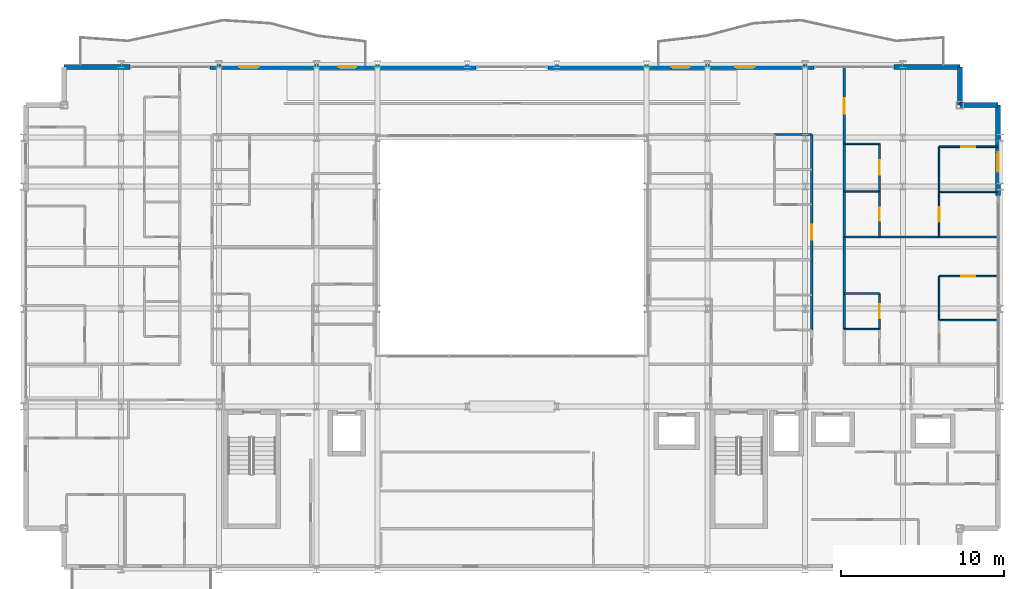
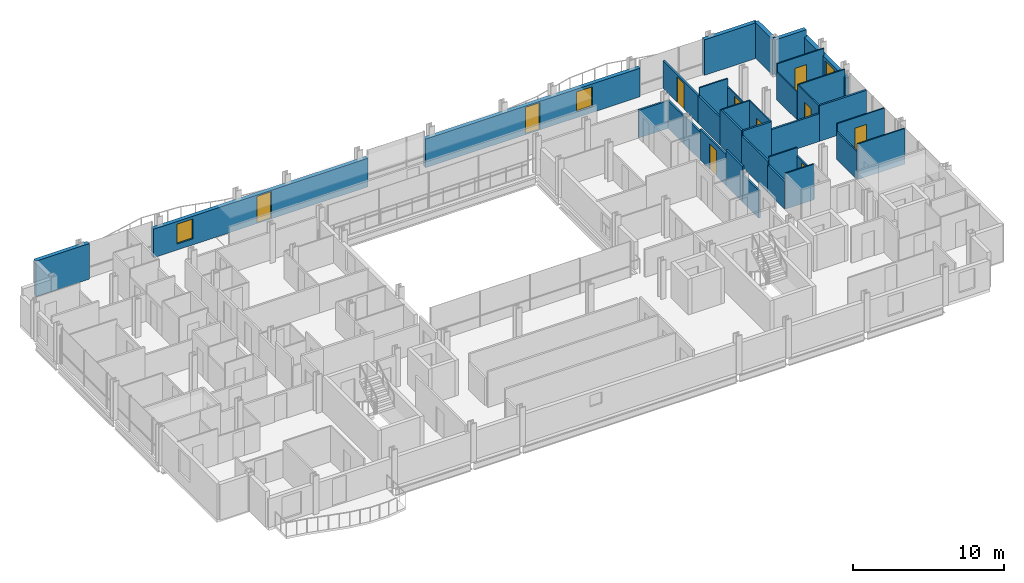
# One storey, part 36 of 41: 35 walls, 10 doors, 3 windows, 13 openings.
"""IFC4 building model written with IfcOpenShell, lengths in metres."""

from ifc_helpers import new_model, si_unit, direction, frame, frame_2d, origin, place, context, subcontext, project, spatial, rectangle, extrude, material, layer, layer_set, type_object, element, fill, save


model = new_model("IFC4")

# Units and contexts
model_context = context("Model", 3, precision=1e-05, world=origin(), true_north=direction((0.0, 1.0)))
body_context = subcontext(model_context, "Body", "Model", "MODEL_VIEW")
ifc_project = project(units=[si_unit("LENGTHUNIT", "METRE"), si_unit("AREAUNIT", "SQUARE_METRE"), si_unit("VOLUMEUNIT", "CUBIC_METRE"), si_unit("PLANEANGLEUNIT", "RADIAN"), si_unit("MASSUNIT", "GRAM", prefix="KILO")], contexts=[model_context])

# Site, building, storey
site_placement = place(None, origin())
site = spatial("IfcSite", under=ifc_project, at=site_placement, CompositionType="ELEMENT")
building_placement = place(site_placement, origin())
building = spatial("IfcBuilding", under=site, at=building_placement, Name="Brevholm Reach", CompositionType="ELEMENT")
storey_placement = place(building_placement, frame((0.0, 0.0, 86.89990234375)))
storey = spatial("IfcBuildingStorey", under=building, at=storey_placement, Name="L25", CompositionType="ELEMENT", Elevation=86.89990234375)

# Walls
ifc_material_1 = material(Name="Concrete C40/50", Category="concrete")
ifc_layer_1 = layer(ifc_material_1, 0.300048828125)
ifc_layer_set_1 = layer_set([ifc_layer_1], Name="Concrete C40/50")
wall_type_1 = type_object("IfcWallType", Name="WAL-EXT-300", PredefinedType="STANDARD", material=ifc_layer_set_1)
for number, where, z_axis, x_axis, name in (
    (1, (59.85009765625, 28.5, 0.0), (0.0, 0.0, 1.0), (-1.0, 0.0, 0.0), "L25 Facade Wall WAL-L25-CNE1"),
    (2, (57.5, 28.5, 0.0), (0.0, 0.0, 1.0), (0.0, 1.0, 0.0), "L25 Facade Wall WAL-L25-CNE2"),
):
    element("IfcWall", number, at=place(storey_placement, frame(where, z_axis=z_axis, x_axis=x_axis)), inside=storey, type_object=wall_type_1, Name=name, PredefinedType="STANDARD", context=body_context, shape_type="SweptSolid", body=[
        extrude(rectangle(XDim=2.35009765625, YDim=0.300048828125, at=frame_2d((1.175048828125, 0.0))), origin(), (0.0, 0.0, 1.0), 2.8701171875),
    ])

# Wall, opening, window
wall_1_placement = place(storey_placement, frame((59.85009765625, 22.949951171875, 0.0), z_axis=(0.0, 0.0, 1.0), x_axis=(0.0, 1.0, 0.0)))
wall_1 = element("IfcWall", 3, at=wall_1_placement, inside=storey, type_object=wall_type_1, Name="L25 Facade Wall WAL-L25-E-N", PredefinedType="STANDARD", context=body_context, shape_type="SweptSolid", body=[
    extrude(rectangle(XDim=5.550048828125, YDim=0.300048828125, at=frame_2d((2.77490234375, 0.0))), origin(), (0.0, 0.0, 1.0), 2.3056640625),
])
opening_1_placement = place(wall_1_placement, frame((1.449951171875, 0.0, 0.485107421875)))
opening_1 = element("IfcOpeningElement", 4, at=opening_1_placement, cuts=wall_1, Name="Opening WN-08", PredefinedType="OPENING", context=body_context, shape_type="SweptSolid", body=[
    extrude(rectangle(XDim=1.199951171875, YDim=1.60009765625, at=frame_2d((0.60009765625, 0.800048828125))), frame((0.0, 0.159912109375, 0.0), z_axis=(0.0, -1.0, 0.0), x_axis=(1.0, 0.0, 0.0)), (0.0, 0.0, 1.0), 0.320068359375),
])
ifc_material_2 = material(Name="Dark Anodised Aluminium and Solar-Control IGU Glass", Category="aluminium")
window_type = type_object("IfcWindowType", Name="WIN-RES-1200", PartitioningType="SINGLE_PANEL", PredefinedType="WINDOW", material=ifc_material_2)
window_1_placement = place(opening_1_placement, origin())
window_1 = element("IfcWindow", 5, at=window_1_placement, inside=storey, type_object=window_type, Name="L25 Window WIN-L25-EN-1", OverallHeight=1.60009765625, OverallWidth=1.199951171875, PartitioningType="SINGLE_PANEL", PredefinedType="WINDOW", context=body_context, shape_type="SweptSolid", body=[
    extrude(rectangle(XDim=1.199951171875, YDim=1.60009765625, at=frame_2d((0.60009765625, 0.800048828125))), frame((0.0, 0.030029296875, 0.0), z_axis=(0.0, -1.0, 0.0), x_axis=(1.0, 0.0, 0.0)), (0.0, 0.0, 1.0), 0.06005859375),
])
fill(opening_1, window_1)

# Walls
for number, where, z_axis, x_axis, name in (
    (6, (2.5, 30.85009765625, 0.0), (0.0, 0.0, 1.0), (1.0, 0.0, 0.0), "L25 Facade Wall WAL-L25-NP-W0"),
    (7, (53.449951171875, 30.85009765625, 0.0), (0.0, 0.0, 1.0), (1.0, 0.0, 0.0), "L25 Facade Wall WAL-L25-NP-E0"),
):
    element("IfcWall", number, at=place(storey_placement, frame(where, z_axis=z_axis, x_axis=x_axis)), inside=storey, type_object=wall_type_1, Name=name, PredefinedType="STANDARD", context=body_context, shape_type="SweptSolid", body=[
        extrude(rectangle(XDim=4.050048828125, YDim=0.300048828125, at=frame_2d((2.02490234375, 0.0))), origin(), (0.0, 0.0, 1.0), 2.8701171875),
    ])

# Wall, openings, door, window
wall_2_placement = place(storey_placement, frame((11.449951171875, 30.85009765625, 0.0), z_axis=(0.0, 0.0, 1.0), x_axis=(1.0, 0.0, 0.0)))
wall_2 = element("IfcWall", 8, at=wall_2_placement, inside=storey, type_object=wall_type_1, Name="L25 Facade Wall WAL-L25-NP-WL", PredefinedType="STANDARD", context=body_context, shape_type="SweptSolid", body=[
    extrude(rectangle(XDim=16.35009765625, YDim=0.300048828125, at=frame_2d((8.175048828125, 0.0))), origin(), (0.0, 0.0, 1.0), 2.3056640625),
])
opening_2_placement = place(wall_2_placement, frame((7.89794921875, 0.0, 0.0)))
opening_2 = element("IfcOpeningElement", 9, at=opening_2_placement, cuts=wall_2, Name="Opening BD-01", PredefinedType="OPENING", context=body_context, shape_type="SweptSolid", body=[
    extrude(rectangle(XDim=1.10009765625, YDim=2.199951171875, at=frame_2d((0.550048828125, 1.10009765625))), frame((0.0, 0.159912109375, 0.0), z_axis=(0.0, -1.0, 0.0), x_axis=(1.0, 0.0, 0.0)), (0.0, 0.0, 1.0), 0.320068359375),
])
opening_3_placement = place(wall_2_placement, frame((1.800048828125, 0.0, 0.485107421875)))
opening_3 = element("IfcOpeningElement", 10, at=opening_3_placement, cuts=wall_2, Name="Opening WN-08", PredefinedType="OPENING", context=body_context, shape_type="SweptSolid", body=[
    extrude(rectangle(XDim=1.199951171875, YDim=1.60009765625, at=frame_2d((0.60009765625, 0.800048828125))), frame((0.0, 0.159912109375, 0.0), z_axis=(0.0, -1.0, 0.0), x_axis=(1.0, 0.0, 0.0)), (0.0, 0.0, 1.0), 0.320068359375),
])
ifc_material_3 = material(Name="Dark Anodised Aluminium and Triple-Glazed Glass", Category="aluminium")
door_type_1 = type_object("IfcDoorType", Name="DOR-BALC-1100", OperationType="NOTDEFINED", PredefinedType="DOOR", material=ifc_material_3)
door_1_placement = place(opening_2_placement, origin())
door_1 = element("IfcDoor", 11, at=door_1_placement, inside=storey, type_object=door_type_1, Name="L25 Exterior Door DOR-L25-BL-NW", OperationType="SINGLE_SWING_RIGHT", OverallHeight=2.199951171875, OverallWidth=1.10009765625, PredefinedType="DOOR", context=body_context, shape_type="SweptSolid", body=[
    extrude(rectangle(XDim=1.10009765625, YDim=2.199951171875, at=frame_2d((0.550048828125, 1.10009765625))), frame((0.0, 0.02490234375, 0.0), z_axis=(0.0, -1.0, 0.0), x_axis=(1.0, 0.0, 0.0)), (0.0, 0.0, 1.0), 0.050048828125),
])
fill(opening_2, door_1)
window_2_placement = place(opening_3_placement, origin())
window_2 = element("IfcWindow", 12, at=window_2_placement, inside=storey, type_object=window_type, Name="L25 Window WIN-L25-NP-WL1", OverallHeight=1.60009765625, OverallWidth=1.199951171875, PartitioningType="SINGLE_PANEL", PredefinedType="WINDOW", context=body_context, shape_type="SweptSolid", body=[
    extrude(rectangle(XDim=1.199951171875, YDim=1.60009765625, at=frame_2d((0.60009765625, 0.800048828125))), frame((0.0, 0.030029296875, 0.0), z_axis=(0.0, -1.0, 0.0), x_axis=(1.0, 0.0, 0.0)), (0.0, 0.0, 1.0), 0.06005859375),
])
fill(opening_3, window_2)

wall_3_placement = place(storey_placement, frame((32.199951171875, 30.85009765625, 0.0), z_axis=(0.0, 0.0, 1.0), x_axis=(1.0, 0.0, 0.0)))
wall_3 = element("IfcWall", 13, at=wall_3_placement, inside=storey, type_object=wall_type_1, Name="L25 Facade Wall WAL-L25-NP-ER", PredefinedType="STANDARD", context=body_context, shape_type="SweptSolid", body=[
    extrude(rectangle(XDim=16.35009765625, YDim=0.300048828125, at=frame_2d((8.175048828125, 0.0))), origin(), (0.0, 0.0, 1.0), 2.3056640625),
])
opening_4_placement = place(wall_3_placement, frame((7.60009765625, 0.0, 0.0)))
opening_4 = element("IfcOpeningElement", 14, at=opening_4_placement, cuts=wall_3, Name="Opening BD-01", PredefinedType="OPENING", context=body_context, shape_type="SweptSolid", body=[
    extrude(rectangle(XDim=1.10009765625, YDim=2.199951171875, at=frame_2d((0.550048828125, 1.10009765625))), frame((0.0, 0.159912109375, 0.0), z_axis=(0.0, -1.0, 0.0), x_axis=(1.0, 0.0, 0.0)), (0.0, 0.0, 1.0), 0.320068359375),
])
opening_5_placement = place(wall_3_placement, frame((11.5, 0.0, 0.485107421875)))
opening_5 = element("IfcOpeningElement", 15, at=opening_5_placement, cuts=wall_3, Name="Opening WN-08", PredefinedType="OPENING", context=body_context, shape_type="SweptSolid", body=[
    extrude(rectangle(XDim=1.199951171875, YDim=1.60009765625, at=frame_2d((0.60009765625, 0.800048828125))), frame((0.0, 0.159912109375, 0.0), z_axis=(0.0, -1.0, 0.0), x_axis=(1.0, 0.0, 0.0)), (0.0, 0.0, 1.0), 0.320068359375),
])
door_2_placement = place(opening_4_placement, origin())
door_2 = element("IfcDoor", 16, at=door_2_placement, inside=storey, type_object=door_type_1, Name="L25 Exterior Door DOR-L25-BL-NE", OperationType="SINGLE_SWING_LEFT", OverallHeight=2.199951171875, OverallWidth=1.10009765625, PredefinedType="DOOR", context=body_context, shape_type="SweptSolid", body=[
    extrude(rectangle(XDim=1.10009765625, YDim=2.199951171875, at=frame_2d((0.550048828125, 1.10009765625))), frame((0.0, 0.02490234375, 0.0), z_axis=(0.0, -1.0, 0.0), x_axis=(1.0, 0.0, 0.0)), (0.0, 0.0, 1.0), 0.050048828125),
])
fill(opening_4, door_2)
window_3_placement = place(opening_5_placement, origin())
window_3 = element("IfcWindow", 17, at=window_3_placement, inside=storey, type_object=window_type, Name="L25 Window WIN-L25-NP-ER1", OverallHeight=1.60009765625, OverallWidth=1.199951171875, PartitioningType="SINGLE_PANEL", PredefinedType="WINDOW", context=body_context, shape_type="SweptSolid", body=[
    extrude(rectangle(XDim=1.199951171875, YDim=1.60009765625, at=frame_2d((0.60009765625, 0.800048828125))), frame((0.0, 0.030029296875, 0.0), z_axis=(0.0, -1.0, 0.0), x_axis=(1.0, 0.0, 0.0)), (0.0, 0.0, 1.0), 0.06005859375),
])
fill(opening_5, window_3)

# Wall
ifc_material_4 = material(Name="Moisture-Resistant Acoustic Gypsum Stud Partition 100 mm", Category="gypsum")
ifc_layer_2 = layer(ifc_material_4, 0.10009765625)
ifc_layer_set_2 = layer_set([ifc_layer_2], Name="Moisture-Resistant Acoustic Gypsum Stud Partition 100 mm")
wall_type_2 = type_object("IfcWallType", Name="WAL-PRT-100", PredefinedType="PARTITIONING", material=ifc_layer_set_2)
wall_4_placement = place(storey_placement, frame((50.404052734375, 14.75, 0.0), z_axis=(0.0, 0.0, 1.0), x_axis=(1.0, 0.0, 0.0)))
element("IfcWall", 18, at=wall_4_placement, inside=storey, type_object=wall_type_2, Name="L25 Internal Partition 140", PredefinedType="PARTITIONING", context=body_context, shape_type="SweptSolid", body=[
    extrude(rectangle(XDim=2.157958984375, YDim=0.10009765625, at=frame_2d((1.0791015625, 0.0))), origin(), (0.0, 0.0, 1.0), 2.8701171875),
])

# Wall, opening, door
wall_5_placement = place(storey_placement, frame((52.56201171875, 14.75390625, 0.0), z_axis=(0.0, 0.0, 1.0), x_axis=(0.0, 1.0, 0.0)))
wall_5 = element("IfcWall", 19, at=wall_5_placement, inside=storey, type_object=wall_type_2, Name="L25 Internal Partition 142", PredefinedType="PARTITIONING", context=body_context, shape_type="SweptSolid", body=[
    extrude(rectangle(XDim=2.18017578125, YDim=0.10009765625, at=frame_2d((1.090087890625, 0.0))), origin(), (0.0, 0.0, 1.0), 2.224853515625),
])
opening_6_placement = place(wall_5_placement, frame((0.64990234375, 0.0, 0.0)))
opening_6 = element("IfcOpeningElement", 20, at=opening_6_placement, cuts=wall_5, Name="Opening ID-01", PredefinedType="OPENING", context=body_context, shape_type="SweptSolid", body=[
    extrude(rectangle(XDim=0.8798828125, YDim=2.0400390625, at=frame_2d((0.43994140625, 1.02001953125))), frame((0.0, 0.06005859375, 0.0), z_axis=(0.0, -1.0, 0.0), x_axis=(1.0, 0.0, 0.0)), (0.0, 0.0, 1.0), 0.1201171875),
])
ifc_material_5 = material(Name="Lacquered Ash Solid-Core Acoustic Internal Door", Category="timber")
door_type_2 = type_object("IfcDoorType", Name="DOR-INT-880", OperationType="NOTDEFINED", PredefinedType="DOOR", material=ifc_material_5)
door_3_placement = place(opening_6_placement, origin())
door_3 = element("IfcDoor", 21, at=door_3_placement, inside=storey, type_object=door_type_2, Name="L25 Internal Door 054", OperationType="SINGLE_SWING_LEFT", OverallHeight=2.0400390625, OverallWidth=0.8798828125, PredefinedType="DOOR", context=body_context, shape_type="SweptSolid", body=[
    extrude(rectangle(XDim=0.8798828125, YDim=2.0400390625, at=frame_2d((0.43994140625, 1.02001953125))), frame((0.0, 0.02490234375, 0.0), z_axis=(0.0, -1.0, 0.0), x_axis=(1.0, 0.0, 0.0)), (0.0, 0.0, 1.0), 0.050048828125),
])
fill(opening_6, door_3)

# Walls
wall_6_placement = place(storey_placement, frame((50.404052734375, 16.93408203125, 0.0), z_axis=(0.0, 0.0, 1.0), x_axis=(1.0, 0.0, 0.0)))
element("IfcWall", 22, at=wall_6_placement, inside=storey, type_object=wall_type_2, Name="L25 Internal Partition 143", PredefinedType="PARTITIONING", context=body_context, shape_type="SweptSolid", body=[
    extrude(rectangle(XDim=2.157958984375, YDim=0.10009765625, at=frame_2d((1.0791015625, 0.0))), origin(), (0.0, 0.0, 1.0), 2.8701171875),
])
wall_7_placement = place(storey_placement, frame((56.22802734375, 15.300048828125, 0.0), z_axis=(0.0, 0.0, 1.0), x_axis=(1.0, 0.0, 0.0)))
element("IfcWall", 23, at=wall_7_placement, inside=storey, type_object=wall_type_2, Name="L25 Internal Partition 144", PredefinedType="PARTITIONING", context=body_context, shape_type="SweptSolid", body=[
    extrude(rectangle(XDim=3.572021484375, YDim=0.10009765625, at=frame_2d((1.7861328125, 0.0))), origin(), (0.0, 0.0, 1.0), 2.8701171875),
])

# Wall, opening, door
wall_8_placement = place(storey_placement, frame((56.22802734375, 18.0, 0.0), z_axis=(0.0, 0.0, 1.0), x_axis=(1.0, 0.0, 0.0)))
wall_8 = element("IfcWall", 24, at=wall_8_placement, inside=storey, type_object=wall_type_2, Name="L25 Internal Partition 146", PredefinedType="PARTITIONING", context=body_context, shape_type="SweptSolid", body=[
    extrude(rectangle(XDim=3.572021484375, YDim=0.10009765625, at=frame_2d((1.7861328125, 0.0))), origin(), (0.0, 0.0, 1.0), 2.8701171875),
])
opening_7_placement = place(wall_8_placement, frame((1.345947265625, 0.0, 0.0)))
opening_7 = element("IfcOpeningElement", 25, at=opening_7_placement, cuts=wall_8, Name="Opening ID-01", PredefinedType="OPENING", context=body_context, shape_type="SweptSolid", body=[
    extrude(rectangle(XDim=0.8798828125, YDim=2.0400390625, at=frame_2d((0.43994140625, 1.02001953125))), frame((0.0, 0.06005859375, 0.0), z_axis=(0.0, -1.0, 0.0), x_axis=(1.0, 0.0, 0.0)), (0.0, 0.0, 1.0), 0.1201171875),
])
door_4_placement = place(opening_7_placement, origin())
door_4 = element("IfcDoor", 26, at=door_4_placement, inside=storey, type_object=door_type_2, Name="L25 Internal Door 056", OperationType="SINGLE_SWING_LEFT", OverallHeight=2.0400390625, OverallWidth=0.8798828125, PredefinedType="DOOR", context=body_context, shape_type="SweptSolid", body=[
    extrude(rectangle(XDim=0.8798828125, YDim=2.0400390625, at=frame_2d((0.43994140625, 1.02001953125))), frame((0.0, 0.02490234375, 0.0), z_axis=(0.0, -1.0, 0.0), x_axis=(1.0, 0.0, 0.0)), (0.0, 0.0, 1.0), 0.050048828125),
])
fill(opening_7, door_4)

# Walls
wall_9_placement = place(storey_placement, frame((56.22802734375, 15.303955078125, 0.0), z_axis=(0.0, 0.0, 1.0), x_axis=(0.0, 1.0, 0.0)))
element("IfcWall", 27, at=wall_9_placement, inside=storey, type_object=wall_type_2, Name="L25 Internal Partition 147", PredefinedType="PARTITIONING", context=body_context, shape_type="SweptSolid", body=[
    extrude(rectangle(XDim=2.696044921875, YDim=0.10009765625, at=frame_2d((1.34814453125, 0.0))), origin(), (0.0, 0.0, 1.0), 2.224853515625),
])
wall_10_placement = place(storey_placement, frame((50.404052734375, 23.2080078125, 0.0), z_axis=(0.0, 0.0, 1.0), x_axis=(1.0, 0.0, 0.0)))
element("IfcWall", 28, at=wall_10_placement, inside=storey, type_object=wall_type_2, Name="L25 Internal Partition 151", PredefinedType="PARTITIONING", context=body_context, shape_type="SweptSolid", body=[
    extrude(rectangle(XDim=2.157958984375, YDim=0.10009765625, at=frame_2d((1.0791015625, 0.0))), origin(), (0.0, 0.0, 1.0), 2.8701171875),
])

# Wall, opening, door
wall_11_placement = place(storey_placement, frame((52.56201171875, 20.404052734375, 0.0), z_axis=(0.0, 0.0, 1.0), x_axis=(0.0, 1.0, 0.0)))
wall_11 = element("IfcWall", 29, at=wall_11_placement, inside=storey, type_object=wall_type_2, Name="L25 Internal Partition 152", PredefinedType="PARTITIONING", context=body_context, shape_type="SweptSolid", body=[
    extrude(rectangle(XDim=2.803955078125, YDim=0.10009765625, at=frame_2d((1.40185546875, 0.0))), origin(), (0.0, 0.0, 1.0), 2.8701171875),
])
opening_8_placement = place(wall_11_placement, frame((0.991943359375, 0.0, 0.0)))
opening_8 = element("IfcOpeningElement", 30, at=opening_8_placement, cuts=wall_11, Name="Opening ID-03", PredefinedType="OPENING", context=body_context, shape_type="SweptSolid", body=[
    extrude(rectangle(XDim=0.820068359375, YDim=2.02001953125, at=frame_2d((0.41015625, 1.010009765625))), frame((0.0, 0.06005859375, 0.0), z_axis=(0.0, -1.0, 0.0), x_axis=(1.0, 0.0, 0.0)), (0.0, 0.0, 1.0), 0.1201171875),
])
ifc_material_6 = material(Name="Moisture-Resistant Painted Timber Internal Bathroom Door", Category="wood")
door_type_3 = type_object("IfcDoorType", Name="DOR-BATH-820", OperationType="NOTDEFINED", PredefinedType="DOOR", material=ifc_material_6)
door_5_placement = place(opening_8_placement, origin())
door_5 = element("IfcDoor", 31, at=door_5_placement, inside=storey, type_object=door_type_3, Name="L25 Internal Door 057", OperationType="SINGLE_SWING_RIGHT", OverallHeight=2.02001953125, OverallWidth=0.820068359375, PredefinedType="DOOR", context=body_context, shape_type="SweptSolid", body=[
    extrude(rectangle(XDim=0.820068359375, YDim=2.02001953125, at=frame_2d((0.41015625, 1.010009765625))), frame((0.0, 0.02490234375, 0.0), z_axis=(0.0, -1.0, 0.0), x_axis=(1.0, 0.0, 0.0)), (0.0, 0.0, 1.0), 0.050048828125),
])
fill(opening_8, door_5)

wall_12_placement = place(storey_placement, frame((52.56201171875, 23.2119140625, 0.0), z_axis=(0.0, 0.0, 1.0), x_axis=(0.0, 1.0, 0.0)))
wall_12 = element("IfcWall", 32, at=wall_12_placement, inside=storey, type_object=wall_type_2, Name="L25 Internal Partition 153", PredefinedType="PARTITIONING", context=body_context, shape_type="SweptSolid", body=[
    extrude(rectangle(XDim=2.908203125, YDim=0.10009765625, at=frame_2d((1.4541015625, 0.0))), origin(), (0.0, 0.0, 1.0), 2.224853515625),
])
opening_9_placement = place(wall_12_placement, frame((1.013916015625, 0.0, 0.0)))
opening_9 = element("IfcOpeningElement", 33, at=opening_9_placement, cuts=wall_12, Name="Opening ID-01", PredefinedType="OPENING", context=body_context, shape_type="SweptSolid", body=[
    extrude(rectangle(XDim=0.8798828125, YDim=2.0400390625, at=frame_2d((0.43994140625, 1.02001953125))), frame((0.0, 0.06005859375, 0.0), z_axis=(0.0, -1.0, 0.0), x_axis=(1.0, 0.0, 0.0)), (0.0, 0.0, 1.0), 0.1201171875),
])
door_6_placement = place(opening_9_placement, origin())
door_6 = element("IfcDoor", 34, at=door_6_placement, inside=storey, type_object=door_type_2, Name="L25 Internal Door 058", OperationType="SINGLE_SWING_LEFT", OverallHeight=2.0400390625, OverallWidth=0.8798828125, PredefinedType="DOOR", context=body_context, shape_type="SweptSolid", body=[
    extrude(rectangle(XDim=0.8798828125, YDim=2.0400390625, at=frame_2d((0.43994140625, 1.02001953125))), frame((0.0, 0.02490234375, 0.0), z_axis=(0.0, -1.0, 0.0), x_axis=(1.0, 0.0, 0.0)), (0.0, 0.0, 1.0), 0.050048828125),
])
fill(opening_9, door_6)

# Walls
wall_13_placement = place(storey_placement, frame((50.404052734375, 26.1201171875, 0.0), z_axis=(0.0, 0.0, 1.0), x_axis=(1.0, 0.0, 0.0)))
element("IfcWall", 35, at=wall_13_placement, inside=storey, type_object=wall_type_2, Name="L25 Internal Partition 154", PredefinedType="PARTITIONING", context=body_context, shape_type="SweptSolid", body=[
    extrude(rectangle(XDim=2.157958984375, YDim=0.10009765625, at=frame_2d((1.0791015625, 0.0))), origin(), (0.0, 0.0, 1.0), 2.8701171875),
])
wall_14_placement = place(storey_placement, frame((56.22802734375, 23.175048828125, 0.0), z_axis=(0.0, 0.0, 1.0), x_axis=(1.0, 0.0, 0.0)))
element("IfcWall", 36, at=wall_14_placement, inside=storey, type_object=wall_type_2, Name="L25 Internal Partition 155", PredefinedType="PARTITIONING", context=body_context, shape_type="SweptSolid", body=[
    extrude(rectangle(XDim=3.572021484375, YDim=0.10009765625, at=frame_2d((1.7861328125, 0.0))), origin(), (0.0, 0.0, 1.0), 2.8701171875),
])

# Wall, opening, door
wall_15_placement = place(storey_placement, frame((56.22802734375, 20.404052734375, 0.0), z_axis=(0.0, 0.0, 1.0), x_axis=(0.0, 1.0, 0.0)))
wall_15 = element("IfcWall", 37, at=wall_15_placement, inside=storey, type_object=wall_type_2, Name="L25 Internal Partition 156", PredefinedType="PARTITIONING", context=body_context, shape_type="SweptSolid", body=[
    extrude(rectangle(XDim=2.77099609375, YDim=0.10009765625, at=frame_2d((1.385498046875, 0.0))), origin(), (0.0, 0.0, 1.0), 2.8701171875),
])
opening_10_placement = place(wall_15_placement, frame((0.945556640625, 0.0, 0.0)))
opening_10 = element("IfcOpeningElement", 38, at=opening_10_placement, cuts=wall_15, Name="Opening ID-01", PredefinedType="OPENING", context=body_context, shape_type="SweptSolid", body=[
    extrude(rectangle(XDim=0.8798828125, YDim=2.0400390625, at=frame_2d((0.43994140625, 1.02001953125))), frame((0.0, 0.06005859375, 0.0), z_axis=(0.0, -1.0, 0.0), x_axis=(1.0, 0.0, 0.0)), (0.0, 0.0, 1.0), 0.1201171875),
])
door_7_placement = place(opening_10_placement, origin())
door_7 = element("IfcDoor", 39, at=door_7_placement, inside=storey, type_object=door_type_2, Name="L25 Internal Door 059", OperationType="SINGLE_SWING_RIGHT", OverallHeight=2.0400390625, OverallWidth=0.8798828125, PredefinedType="DOOR", context=body_context, shape_type="SweptSolid", body=[
    extrude(rectangle(XDim=0.8798828125, YDim=2.0400390625, at=frame_2d((0.43994140625, 1.02001953125))), frame((0.0, 0.02490234375, 0.0), z_axis=(0.0, -1.0, 0.0), x_axis=(1.0, 0.0, 0.0)), (0.0, 0.0, 1.0), 0.050048828125),
])
fill(opening_10, door_7)

wall_16_placement = place(storey_placement, frame((56.22802734375, 25.949951171875, 0.0), z_axis=(0.0, 0.0, 1.0), x_axis=(1.0, 0.0, 0.0)))
wall_16 = element("IfcWall", 40, at=wall_16_placement, inside=storey, type_object=wall_type_2, Name="L25 Internal Partition 157", PredefinedType="PARTITIONING", context=body_context, shape_type="SweptSolid", body=[
    extrude(rectangle(XDim=3.572021484375, YDim=0.10009765625, at=frame_2d((1.7861328125, 0.0))), origin(), (0.0, 0.0, 1.0), 2.8701171875),
])
opening_11_placement = place(wall_16_placement, frame((1.345947265625, 0.0, 0.0)))
opening_11 = element("IfcOpeningElement", 41, at=opening_11_placement, cuts=wall_16, Name="Opening ID-01", PredefinedType="OPENING", context=body_context, shape_type="SweptSolid", body=[
    extrude(rectangle(XDim=0.8798828125, YDim=2.0400390625, at=frame_2d((0.43994140625, 1.02001953125))), frame((0.0, 0.06005859375, 0.0), z_axis=(0.0, -1.0, 0.0), x_axis=(1.0, 0.0, 0.0)), (0.0, 0.0, 1.0), 0.1201171875),
])
door_8_placement = place(opening_11_placement, origin())
door_8 = element("IfcDoor", 42, at=door_8_placement, inside=storey, type_object=door_type_2, Name="L25 Internal Door 060", OperationType="SINGLE_SWING_LEFT", OverallHeight=2.0400390625, OverallWidth=0.8798828125, PredefinedType="DOOR", context=body_context, shape_type="SweptSolid", body=[
    extrude(rectangle(XDim=0.8798828125, YDim=2.0400390625, at=frame_2d((0.43994140625, 1.02001953125))), frame((0.0, 0.02490234375, 0.0), z_axis=(0.0, -1.0, 0.0), x_axis=(1.0, 0.0, 0.0)), (0.0, 0.0, 1.0), 0.050048828125),
])
fill(opening_11, door_8)

# Walls
wall_17_placement = place(storey_placement, frame((56.22802734375, 23.178955078125, 0.0), z_axis=(0.0, 0.0, 1.0), x_axis=(0.0, 1.0, 0.0)))
element("IfcWall", 43, at=wall_17_placement, inside=storey, type_object=wall_type_2, Name="L25 Internal Partition 158", PredefinedType="PARTITIONING", context=body_context, shape_type="SweptSolid", body=[
    extrude(rectangle(XDim=2.77099609375, YDim=0.10009765625, at=frame_2d((1.385498046875, 0.0))), origin(), (0.0, 0.0, 1.0), 2.224853515625),
])
ifc_material_7 = material(Name="Twin-Stud Acoustic Fire-Rated Gypsum Partition 140 mm", Category="gypsum")
ifc_layer_3 = layer(ifc_material_7, 0.139892578125)
ifc_layer_set_3 = layer_set([ifc_layer_3], Name="Twin-Stud Acoustic Fire-Rated Gypsum Partition 140 mm")
wall_type_3 = type_object("IfcWallType", Name="WAL-PRT-140", PredefinedType="PARTITIONING", material=ifc_layer_set_3)
wall_18_placement = place(storey_placement, frame((48.39990234375, 16.838623046875, 0.0), z_axis=(0.0, 0.0, 1.0), x_axis=(0.0, 1.0, 0.0)))
element("IfcWall", 44, at=wall_18_placement, inside=storey, type_object=wall_type_3, Name="L25 Internal Partition 045", PredefinedType="PARTITIONING", context=body_context, shape_type="SweptSolid", body=[
    extrude(rectangle(XDim=2.172607421875, YDim=0.139892578125, at=frame_2d((1.08642578125, 0.0))), origin(), (0.0, 0.0, 1.0), 2.8701171875),
])
wall_19_placement = place(storey_placement, frame((48.39990234375, 14.688720703125, 0.0), z_axis=(0.0, 0.0, 1.0), x_axis=(0.0, 1.0, 0.0)))
element("IfcWall", 45, at=wall_19_placement, inside=storey, type_object=wall_type_3, Name="L25 Internal Partition 046", PredefinedType="PARTITIONING", context=body_context, shape_type="SweptSolid", body=[
    extrude(rectangle(XDim=2.168701171875, YDim=0.139892578125, at=frame_2d((1.08447265625, 0.0))), origin(), (0.0, 0.0, 1.0), 2.224853515625),
])
wall_20_placement = place(storey_placement, frame((48.39990234375, 24.538818359375, 0.0), z_axis=(0.0, 0.0, 1.0), x_axis=(0.0, 1.0, 0.0)))
element("IfcWall", 46, at=wall_20_placement, inside=storey, type_object=wall_type_3, Name="L25 Internal Partition 048", PredefinedType="PARTITIONING", context=body_context, shape_type="SweptSolid", body=[
    extrude(rectangle(XDim=2.16845703125, YDim=0.139892578125, at=frame_2d((1.084228515625, 0.0))), origin(), (0.0, 0.0, 1.0), 2.224853515625),
])
wall_21_placement = place(storey_placement, frame((48.39990234375, 22.3828125, 0.0), z_axis=(0.0, 0.0, 1.0), x_axis=(0.0, 1.0, 0.0)))
element("IfcWall", 47, at=wall_21_placement, inside=storey, type_object=wall_type_3, Name="L25 Internal Partition 049", PredefinedType="PARTITIONING", context=body_context, shape_type="SweptSolid", body=[
    extrude(rectangle(XDim=2.174560546875, YDim=0.139892578125, at=frame_2d((1.08740234375, 0.0))), origin(), (0.0, 0.0, 1.0), 2.224853515625),
])

# Wall, opening, door
wall_22_placement = place(storey_placement, frame((48.39990234375, 18.99267578125, 0.0), z_axis=(0.0, 0.0, 1.0), x_axis=(0.0, 1.0, 0.0)))
wall_22 = element("IfcWall", 48, at=wall_22_placement, inside=storey, type_object=wall_type_3, Name="L25 Internal Partition 050", PredefinedType="PARTITIONING", context=body_context, shape_type="SweptSolid", body=[
    extrude(rectangle(XDim=3.40869140625, YDim=0.139892578125, at=frame_2d((1.704345703125, 0.0))), origin(), (0.0, 0.0, 1.0), 2.489990234375),
])
opening_12_placement = place(wall_22_placement, frame((1.229248046875, 0.0, 0.0)))
opening_12 = element("IfcOpeningElement", 49, at=opening_12_placement, cuts=wall_22, Name="Opening ID-30", PredefinedType="OPENING", context=body_context, shape_type="SweptSolid", body=[
    extrude(rectangle(XDim=0.949951171875, YDim=2.050048828125, at=frame_2d((0.47509765625, 1.02490234375))), frame((0.0, 0.079833984375, 0.0), z_axis=(0.0, -1.0, 0.0), x_axis=(1.0, 0.0, 0.0)), (0.0, 0.0, 1.0), 0.159912109375),
])
ifc_material_8 = material(Name="European Oak Veneered Solid-Core Fire Entrance Door", Category="timber")
door_type_4 = type_object("IfcDoorType", Name="DOR-FLT-FD30S", OperationType="NOTDEFINED", PredefinedType="DOOR", material=ifc_material_8)
door_9_placement = place(opening_12_placement, origin())
door_9 = element("IfcDoor", 50, at=door_9_placement, inside=storey, type_object=door_type_4, Name="L25 Internal Door 021", OperationType="SINGLE_SWING_RIGHT", OverallHeight=2.050048828125, OverallWidth=0.949951171875, PredefinedType="DOOR", context=body_context, shape_type="SweptSolid", body=[
    extrude(rectangle(XDim=0.949951171875, YDim=2.050048828125, at=frame_2d((0.47509765625, 1.02490234375))), frame((0.0, 0.02490234375, 0.0), z_axis=(0.0, -1.0, 0.0), x_axis=(1.0, 0.0, 0.0)), (0.0, 0.0, 1.0), 0.050048828125),
])
fill(opening_12, door_9)

# Walls
wall_23_placement = place(storey_placement, frame((50.39990234375, 14.74267578125, 0.0), z_axis=(0.0, 0.0, 1.0), x_axis=(0.0, 1.0, 0.0)))
element("IfcWall", 51, at=wall_23_placement, inside=storey, type_object=wall_type_3, Name="L25 Internal Partition 052", PredefinedType="PARTITIONING", context=body_context, shape_type="SweptSolid", body=[
    extrude(rectangle(XDim=2.20263671875, YDim=0.139892578125, at=frame_2d((1.101318359375, 0.0))), origin(), (0.0, 0.0, 1.0), 2.224853515625),
])
wall_24_placement = place(storey_placement, frame((50.39990234375, 16.9267578125, 0.0), z_axis=(0.0, 0.0, 1.0), x_axis=(0.0, 1.0, 0.0)))
element("IfcWall", 52, at=wall_24_placement, inside=storey, type_object=wall_type_3, Name="L25 Internal Partition 053", PredefinedType="PARTITIONING", context=body_context, shape_type="SweptSolid", body=[
    extrude(rectangle(XDim=3.484619140625, YDim=0.139892578125, at=frame_2d((1.7421875, 0.0))), origin(), (0.0, 0.0, 1.0), 2.489990234375),
])
wall_25_placement = place(storey_placement, frame((50.39990234375, 20.392578125, 0.0), z_axis=(0.0, 0.0, 1.0), x_axis=(0.0, 1.0, 0.0)))
element("IfcWall", 53, at=wall_25_placement, inside=storey, type_object=wall_type_3, Name="L25 Internal Partition 054", PredefinedType="PARTITIONING", context=body_context, shape_type="SweptSolid", body=[
    extrude(rectangle(XDim=2.82666015625, YDim=0.139892578125, at=frame_2d((1.413330078125, 0.0))), origin(), (0.0, 0.0, 1.0), 2.8701171875),
])
wall_26_placement = place(storey_placement, frame((50.39990234375, 23.20068359375, 0.0), z_axis=(0.0, 0.0, 1.0), x_axis=(0.0, 1.0, 0.0)))
element("IfcWall", 54, at=wall_26_placement, inside=storey, type_object=wall_type_3, Name="L25 Internal Partition 055", PredefinedType="PARTITIONING", context=body_context, shape_type="SweptSolid", body=[
    extrude(rectangle(XDim=2.9306640625, YDim=0.139892578125, at=frame_2d((1.46533203125, 0.0))), origin(), (0.0, 0.0, 1.0), 2.224853515625),
])

# Wall, opening, door
wall_27_placement = place(storey_placement, frame((50.39990234375, 26.11279296875, 0.0), z_axis=(0.0, 0.0, 1.0), x_axis=(0.0, 1.0, 0.0)))
wall_27 = element("IfcWall", 55, at=wall_27_placement, inside=storey, type_object=wall_type_3, Name="L25 Internal Partition 056", PredefinedType="PARTITIONING", context=body_context, shape_type="SweptSolid", body=[
    extrude(rectangle(XDim=4.687255859375, YDim=0.139892578125, at=frame_2d((2.34375, 0.0))), origin(), (0.0, 0.0, 1.0), 2.224853515625),
])
opening_13_placement = place(wall_27_placement, frame((1.86865234375, 0.0, 0.0)))
opening_13 = element("IfcOpeningElement", 56, at=opening_13_placement, cuts=wall_27, Name="Opening ID-30", PredefinedType="OPENING", context=body_context, shape_type="SweptSolid", body=[
    extrude(rectangle(XDim=0.949951171875, YDim=2.050048828125, at=frame_2d((0.47509765625, 1.02490234375))), frame((0.0, 0.079833984375, 0.0), z_axis=(0.0, -1.0, 0.0), x_axis=(1.0, 0.0, 0.0)), (0.0, 0.0, 1.0), 0.159912109375),
])
door_10_placement = place(opening_13_placement, origin())
door_10 = element("IfcDoor", 57, at=door_10_placement, inside=storey, type_object=door_type_4, Name="L25 Internal Door 022", OperationType="SINGLE_SWING_LEFT", OverallHeight=2.050048828125, OverallWidth=0.949951171875, PredefinedType="DOOR", context=body_context, shape_type="SweptSolid", body=[
    extrude(rectangle(XDim=0.949951171875, YDim=2.050048828125, at=frame_2d((0.47509765625, 1.02490234375))), frame((0.0, 0.02490234375, 0.0), z_axis=(0.0, -1.0, 0.0), x_axis=(1.0, 0.0, 0.0)), (0.0, 0.0, 1.0), 0.050048828125),
])
fill(opening_13, door_10)

# Walls
wall_28_placement = place(storey_placement, frame((46.1005859375, 26.699951171875, 0.0), z_axis=(0.0, 0.0, 1.0), x_axis=(1.0, 0.0, 0.0)))
element("IfcWall", 58, at=wall_28_placement, inside=storey, type_object=wall_type_3, Name="L25 Internal Partition 059", PredefinedType="PARTITIONING", context=body_context, shape_type="SweptSolid", body=[
    extrude(rectangle(XDim=2.29541015625, YDim=0.139892578125, at=frame_2d((1.147705078125, 0.0))), origin(), (0.0, 0.0, 1.0), 2.224853515625),
])
wall_29_placement = place(storey_placement, frame((50.404052734375, 20.39990234375, 0.0), z_axis=(0.0, 0.0, 1.0), x_axis=(1.0, 0.0, 0.0)))
element("IfcWall", 59, at=wall_29_placement, inside=storey, type_object=wall_type_3, Name="L25 Internal Partition 148", PredefinedType="PARTITIONING", context=body_context, shape_type="SweptSolid", body=[
    extrude(rectangle(XDim=2.169189453125, YDim=0.139892578125, at=frame_2d((1.08447265625, 0.0))), origin(), (0.0, 0.0, 1.0), 2.8701171875),
])
wall_30_placement = place(storey_placement, frame((56.216796875, 20.39990234375, 0.0), z_axis=(0.0, 0.0, 1.0), x_axis=(1.0, 0.0, 0.0)))
element("IfcWall", 60, at=wall_30_placement, inside=storey, type_object=wall_type_3, Name="L25 Internal Partition 149", PredefinedType="PARTITIONING", context=body_context, shape_type="SweptSolid", body=[
    extrude(rectangle(XDim=3.583251953125, YDim=0.139892578125, at=frame_2d((1.79150390625, 0.0))), origin(), (0.0, 0.0, 1.0), 2.8701171875),
])
wall_31_placement = place(storey_placement, frame((52.5546875, 20.39990234375, 0.0), z_axis=(0.0, 0.0, 1.0), x_axis=(1.0, 0.0, 0.0)))
element("IfcWall", 61, at=wall_31_placement, inside=storey, type_object=wall_type_3, Name="L25 Internal Partition 150", PredefinedType="PARTITIONING", context=body_context, shape_type="SweptSolid", body=[
    extrude(rectangle(XDim=3.6806640625, YDim=0.139892578125, at=frame_2d((1.84033203125, 0.0))), origin(), (0.0, 0.0, 1.0), 2.224853515625),
])

save(model, "model.ifc")
